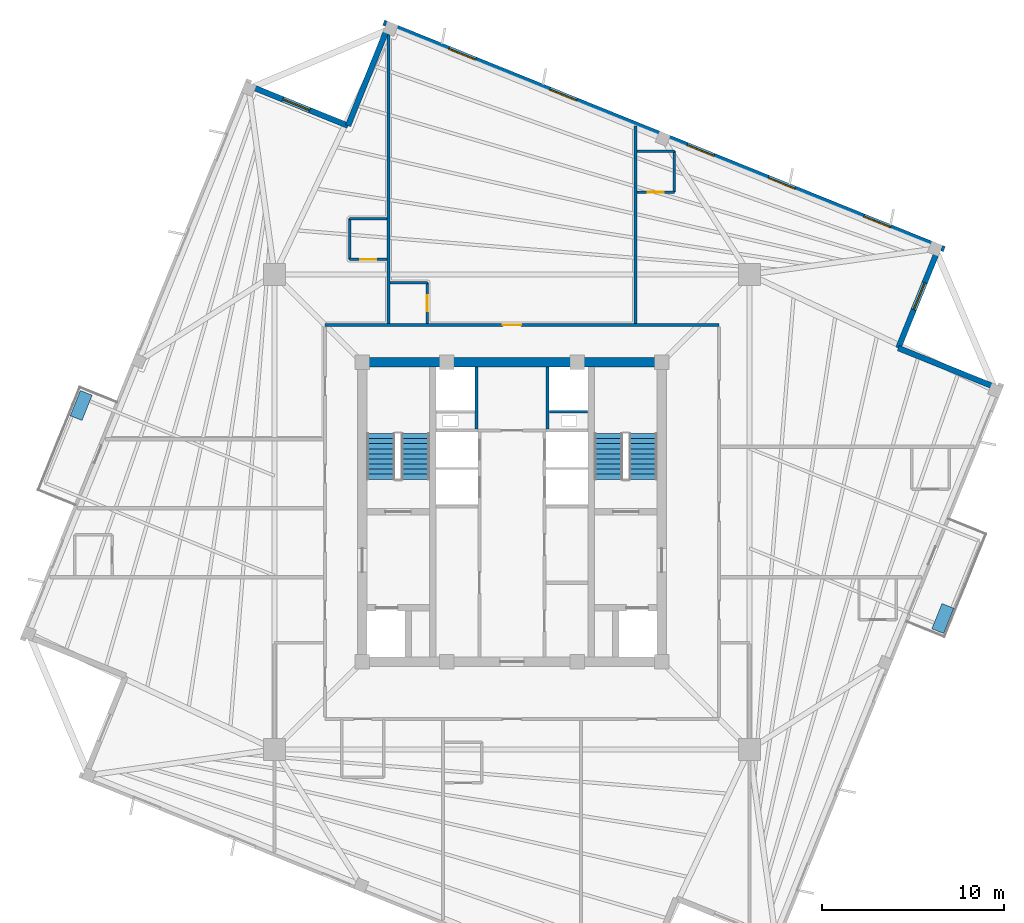
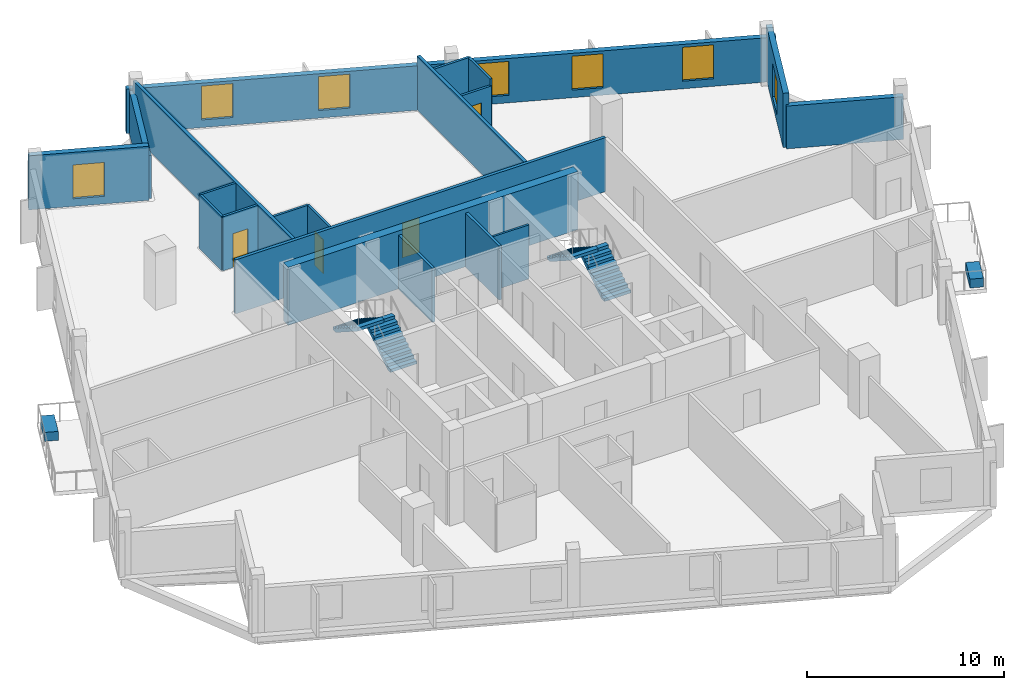
# One storey, part 5 of 8: 20 walls, 7 windows, 4 doors, 4 stair flights, 2 discrete accessories, 11 openings, 2 elements without a shape of their own.
"""IFC4 building model written with IfcOpenShell, lengths in metres."""

from ifc_helpers import new_model, si_unit, direction, frame, frame_2d, origin, origin_2d, place, context, subcontext, project, spatial, polyline, rectangle, outline, extrude, source, transform, mapped, material, layer, layer_set, type_object, element, fill, aggregate, save


model = new_model("IFC4")

# Units and contexts
model_context = context("Model", 3, precision=1e-05, world=origin(), true_north=direction((0.0, 1.0)))
body_context = subcontext(model_context, "Body", "Model", "MODEL_VIEW")
ifc_project = project(units=[si_unit("LENGTHUNIT", "METRE"), si_unit("AREAUNIT", "SQUARE_METRE"), si_unit("VOLUMEUNIT", "CUBIC_METRE"), si_unit("PLANEANGLEUNIT", "RADIAN"), si_unit("MASSUNIT", "GRAM", prefix="KILO"), si_unit("THERMODYNAMICTEMPERATUREUNIT", "KELVIN")], contexts=[model_context])

# Site, building, storey
site_placement = place(None, origin())
site = spatial("IfcSite", under=ifc_project, at=site_placement, CompositionType="ELEMENT")
building_placement = place(site_placement, origin())
building = spatial("IfcBuilding", under=site, at=building_placement, Name="Kosmvard Interchange Tower", CompositionType="ELEMENT")
storey_placement = place(building_placement, frame((0.0, 0.0, 268.800048828125)))
storey = spatial("IfcBuildingStorey", under=building, at=storey_placement, Name="L65", CompositionType="ELEMENT", Elevation=268.800048828125)

# Walls
ifc_material_1 = material(Name="Fire-rated gypsum partition system")
ifc_layer_1 = layer(ifc_material_1, 0.159912109375, Name="Fire-rated gypsum partition system")
ifc_layer_set_1 = layer_set([ifc_layer_1], Name="Fire-rated gypsum partition system")
wall_type_1 = type_object("IfcWallType", Name="Core Compartment & Shuttle Lobby Partition 160", PredefinedType="PARTITIONING", material=ifc_layer_set_1)
for number, where, z_axis, x_axis, name in (
    (1, (-1.9599609375, 4.580078125, 0.0), (0.0, 0.0, 1.0), (0.0, 1.0, 0.0), "L65 North Core West Wall"),
    (2, (1.9599609375, 4.580078125, 0.0), (0.0, 0.0, 1.0), (0.0, 1.0, 0.0), "L65 North Core East Wall"),
):
    element("IfcWall", number, at=place(storey_placement, frame(where, z_axis=z_axis, x_axis=x_axis)), inside=storey, type_object=wall_type_1, Name=name, PredefinedType="PARTITIONING", context=body_context, shape_type="SweptSolid", body=[
        extrude(rectangle(XDim=3.39990234375, YDim=0.159912109375, at=frame_2d((1.699951171875, 0.0))), origin(), (0.0, 0.0, 1.0), 3.349853515625),
    ])

# Wall, opening, door
ifc_layer_2 = layer(ifc_material_1, 0.179931640625, Name="Fire-rated gypsum partition system")
ifc_layer_set_2 = layer_set([ifc_layer_2], Name="Fire-rated gypsum partition system")
wall_type_2 = type_object("IfcWallType", Name="Corridor & Hotel Compartment Partition 180", PredefinedType="PARTITIONING", material=ifc_layer_set_2)
wall_1_placement = place(storey_placement, frame((-10.300048828125, 10.300048828125, 0.0), z_axis=(0.0, 0.0, 1.0), x_axis=(1.0, 0.0, 0.0)))
wall_1 = element("IfcWall", 3, at=wall_1_placement, inside=storey, type_object=wall_type_2, Name="L65 Corridor Wall CN", PredefinedType="PARTITIONING", context=body_context, shape_type="SweptSolid", body=[
    extrude(rectangle(XDim=21.699951171875, YDim=0.179931640625, at=frame_2d((10.85009765625, 0.0))), origin(), (0.0, 0.0, 1.0), 3.349853515625),
])
opening_1_placement = place(wall_1_placement, frame((9.800048828125, 0.0, 0.0)))
opening_1 = element("IfcOpeningElement", 4, at=opening_1_placement, cuts=wall_1, Name="Opening L65-D05", PredefinedType="OPENING", context=body_context, shape_type="SweptSolid", body=[
    extrude(rectangle(XDim=1.0, YDim=2.14990234375, at=frame_2d((0.5, 1.074951171875))), frame((0.0, 0.10009765625, 0.0), z_axis=(0.0, -1.0, 0.0), x_axis=(1.0, 0.0, 0.0)), (0.0, 0.0, 1.0), 0.199951171875),
])
ifc_material_2 = material(Name="Engineered oak fire-rated timber", Category="wood")
door_type_1 = type_object("IfcDoorType", Name="Hotel Guestroom Entrance Door 1000x2150 EI60", OperationType="NOTDEFINED", PredefinedType="DOOR", material=ifc_material_2)
shared_shape_1 = source(origin(), body_context, "Body", "SweptSolid", [
    extrude(rectangle(XDim=1.0, YDim=2.14990234375, at=frame_2d((0.5, 1.074951171875))), frame((0.0, 0.02490234375, 0.0), z_axis=(0.0, -1.0, 0.0), x_axis=(1.0, 0.0, 0.0)), (0.0, 0.0, 1.0), 0.050048828125),
])
door_1_placement = place(opening_1_placement, origin())
door_1 = element("IfcDoor", 5, at=door_1_placement, inside=storey, type_object=door_type_1, Name="L65 Hotel Twin Junior Suite 1 Door", OperationType="SINGLE_SWING_LEFT", OverallHeight=2.14990234375, OverallWidth=1.0, PredefinedType="DOOR", context=body_context, shape_type="MappedRepresentation", body=[
    mapped(shared_shape_1, transform((0.0, 0.0, 0.0), scale=1.0)),
])
fill(opening_1, door_1)

# Walls
wall_2_placement = place(storey_placement, frame((-6.800048828125, 10.39501953125, 0.0), z_axis=(0.0, 0.0, 1.0), x_axis=(0.0, 1.0, 0.0)))
element("IfcWall", 6, at=wall_2_placement, inside=storey, type_object=wall_type_2, Name="L65 Room Partition 01.1", PredefinedType="PARTITIONING", context=body_context, shape_type="SweptSolid", body=[
    extrude(rectangle(XDim=16.16650390625, YDim=0.179931640625, at=frame_2d((8.083251953125, 0.0))), origin(), (0.0, 0.0, 1.0), 3.349853515625),
])
wall_3_placement = place(storey_placement, frame((6.800048828125, 10.39501953125, 0.0), z_axis=(0.0, 0.0, 1.0), x_axis=(0.0, 1.0, 0.0)))
element("IfcWall", 7, at=wall_3_placement, inside=storey, type_object=wall_type_2, Name="L65 Room Partition 02.1", PredefinedType="PARTITIONING", context=body_context, shape_type="SweptSolid", body=[
    extrude(rectangle(XDim=10.8603515625, YDim=0.179931640625, at=frame_2d((5.43017578125, 0.0))), origin(), (0.0, 0.0, 1.0), 3.349853515625),
])
ifc_material_3 = material(Name="Fire-rated gypsum shaftwall system")
ifc_layer_3 = layer(ifc_material_3, 0.1201171875, Name="Fire-rated gypsum shaftwall system")
ifc_layer_set_3 = layer_set([ifc_layer_3], Name="Fire-rated gypsum shaftwall system")
wall_type_3 = type_object("IfcWallType", Name="Shaft & Riser Fire Partition 120 EI60", PredefinedType="PARTITIONING", material=ifc_layer_set_3)
wall_4_placement = place(storey_placement, frame((2.06005859375, 5.52001953125, 0.0), z_axis=(0.0, 0.0, 1.0), x_axis=(1.0, 0.0, 0.0)))
element("IfcWall", 8, at=wall_4_placement, inside=storey, type_object=wall_type_3, Name="L65 Riser Shaft Divider E", PredefinedType="PARTITIONING", context=body_context, shape_type="SweptSolid", body=[
    extrude(rectangle(XDim=2.099853515625, YDim=0.1201171875, at=frame_2d((1.0498046875, 0.0))), origin(), (0.0, 0.0, 1.0), 3.349853515625),
])
ifc_material_4 = material(Name="Concrete C60/75", Category="concrete")
ifc_layer_4 = layer(ifc_material_4, 0.5, Name="Concrete C60/75")
ifc_layer_set_4 = layer_set([ifc_layer_4], Name="Concrete C60/75")
wall_type_4 = type_object("IfcWallType", Name="Upper Core Shear Wall 500 C60/75", PredefinedType="SHEAR", material=ifc_layer_set_4)
wall_5_placement = place(storey_placement, frame((-8.5, 8.25, 0.0), z_axis=(0.0, 0.0, 1.0), x_axis=(1.0, 0.0, 0.0)))
element("IfcWall", 9, at=wall_5_placement, inside=storey, type_object=wall_type_4, Name="L65 Core Shear Wall CW-N", PredefinedType="SHEAR", context=body_context, shape_type="SweptSolid", body=[
    extrude(rectangle(XDim=17.0, YDim=0.5, at=frame_2d((8.5, 0.0))), origin(), (0.0, 0.0, 1.0), 3.599853515625),
])
ifc_material_5 = material(Name="Precast concrete C45/55", Category="concrete")
ifc_layer_5 = layer(ifc_material_5, 0.31005859375, Name="Precast concrete C45/55")
ifc_layer_set_5 = layer_set([ifc_layer_5], Name="Precast concrete C45/55")
wall_type_5 = type_object("IfcWallType", Name="Upper Tower Precast Pier Wall 310 C45/55", PredefinedType="STANDARD", material=ifc_layer_set_5)
wall_6_placement = place(storey_placement, frame((26.8408203125, 6.7841796875, 0.0), z_axis=(0.0, 0.0, 1.0), x_axis=(-0.927171722085, 0.374636620962, 0.0)))
element("IfcWall", 10, at=wall_6_placement, inside=storey, type_object=wall_type_5, Name="L65 Precast Facade Wall N-SE1", PredefinedType="STANDARD", context=body_context, shape_type="SweptSolid", body=[
    extrude(rectangle(XDim=6.0, YDim=0.31005859375, at=frame_2d((3.0, 0.0))), origin(), (0.0, 0.0, 1.0), 2.64990234375),
])

# Wall, opening, window
wall_7_placement = place(storey_placement, frame((21.27783203125, 9.031982421875, 0.0), z_axis=(0.0, 0.0, 1.0), x_axis=(0.374602739196, 0.927185411764, 0.0)))
wall_7 = element("IfcWall", 11, at=wall_7_placement, inside=storey, type_object=wall_type_5, Name="L65 Precast Facade Wall N-SE2", PredefinedType="STANDARD", context=body_context, shape_type="SweptSolid", body=[
    extrude(rectangle(XDim=6.155029296875, YDim=0.31005859375, at=frame_2d((3.07763671875, 0.0))), origin(), (0.0, 0.0, 1.0), 3.349853515625),
])
opening_2_placement = place(wall_7_placement, frame((2.277587890625, 0.0, 0.469970703125)))
opening_2 = element("IfcOpeningElement", 12, at=opening_2_placement, cuts=wall_7, Name="Opening L65-W20", PredefinedType="OPENING", context=body_context, shape_type="SweptSolid", body=[
    extrude(rectangle(XDim=1.60009765625, YDim=2.10009765625, at=frame_2d((0.800048828125, 1.050048828125))), frame((0.0, 0.1650390625, 0.0), z_axis=(0.0, -1.0, 0.0), x_axis=(1.0, 0.0, 0.0)), (0.0, 0.0, 1.0), 0.330078125),
])
ifc_material_6 = material(Name="Low-E acoustic double glazing", Category="glass")
window_type = type_object("IfcWindowType", Name="Zone 5 Hotel Punched Window 1600x2100", PartitioningType="SINGLE_PANEL", PredefinedType="WINDOW", material=ifc_material_6)
shared_shape_2 = source(origin(), body_context, "Body", "SweptSolid", [
    extrude(rectangle(XDim=1.60009765625, YDim=2.10009765625, at=frame_2d((0.800048828125, 1.050048828125))), frame((0.0, 0.030029296875, 0.0), z_axis=(0.0, -1.0, 0.0), x_axis=(1.0, 0.0, 0.0)), (0.0, 0.0, 1.0), 0.06005859375),
])
window_1_placement = place(opening_2_placement, origin())
window_1 = element("IfcWindow", 13, at=window_1_placement, inside=storey, type_object=window_type, Name="L65 Corner Notch Window 20", OverallHeight=2.10009765625, OverallWidth=1.60009765625, PartitioningType="SINGLE_PANEL", PredefinedType="WINDOW", context=body_context, shape_type="MappedRepresentation", body=[
    mapped(shared_shape_2, transform((0.0, 0.0, 0.0), scale=1.0)),
])
fill(opening_2, window_1)

# Wall, openings, windows
wall_8_placement = place(storey_placement, frame((23.812744140625, 14.478759765625, 0.0), z_axis=(0.0, 0.0, 1.0), x_axis=(-0.927182657188, 0.374609557019, 0.0)))
wall_8 = element("IfcWall", 14, at=wall_8_placement, inside=storey, type_object=wall_type_5, Name="L65 Precast Facade Wall F-E", PredefinedType="STANDARD", context=body_context, shape_type="SweptSolid", body=[
    extrude(rectangle(XDim=33.31005859375, YDim=0.31005859375, at=frame_2d((16.655029296875, 0.0))), origin(), (0.0, 0.0, 1.0), 2.75),
])
opening_3_placement = place(wall_8_placement, frame((3.197265625, 0.0, 0.469970703125)))
opening_3 = element("IfcOpeningElement", 15, at=opening_3_placement, cuts=wall_8, Name="Opening L65-W06", PredefinedType="OPENING", context=body_context, shape_type="SweptSolid", body=[
    extrude(rectangle(XDim=1.60009765625, YDim=2.10009765625, at=frame_2d((0.800048828125, 1.050048828125))), frame((0.0, 0.1650390625, 0.0), z_axis=(0.0, -1.0, 0.0), x_axis=(1.0, 0.0, 0.0)), (0.0, 0.0, 1.0), 0.330078125),
])
opening_4_placement = place(wall_8_placement, frame((8.85986328125, 0.0, 0.469970703125)))
opening_4 = element("IfcOpeningElement", 16, at=opening_4_placement, cuts=wall_8, Name="Opening L65-W07", PredefinedType="OPENING", context=body_context, shape_type="SweptSolid", body=[
    extrude(rectangle(XDim=1.60009765625, YDim=2.10009765625, at=frame_2d((0.800048828125, 1.050048828125))), frame((0.0, 0.1650390625, 0.0), z_axis=(0.0, -1.0, 0.0), x_axis=(1.0, 0.0, 0.0)), (0.0, 0.0, 1.0), 0.330078125),
])
opening_5_placement = place(wall_8_placement, frame((13.688720703125, 0.0, 0.469970703125)))
opening_5 = element("IfcOpeningElement", 17, at=opening_5_placement, cuts=wall_8, Name="Opening L65-W08", PredefinedType="OPENING", context=body_context, shape_type="SweptSolid", body=[
    extrude(rectangle(XDim=1.60009765625, YDim=2.10009765625, at=frame_2d((0.800048828125, 1.050048828125))), frame((0.0, 0.1650390625, 0.0), z_axis=(0.0, -1.0, 0.0), x_axis=(1.0, 0.0, 0.0)), (0.0, 0.0, 1.0), 0.330078125),
])
opening_6_placement = place(wall_8_placement, frame((21.850830078125, 0.0, 0.469970703125)))
opening_6 = element("IfcOpeningElement", 18, at=opening_6_placement, cuts=wall_8, Name="Opening L65-W09", PredefinedType="OPENING", context=body_context, shape_type="SweptSolid", body=[
    extrude(rectangle(XDim=1.60009765625, YDim=2.10009765625, at=frame_2d((0.800048828125, 1.050048828125))), frame((0.0, 0.1650390625, 0.0), z_axis=(0.0, -1.0, 0.0), x_axis=(1.0, 0.0, 0.0)), (0.0, 0.0, 1.0), 0.330078125),
])
opening_7_placement = place(wall_8_placement, frame((27.8466796875, 0.0, 0.469970703125)))
opening_7 = element("IfcOpeningElement", 19, at=opening_7_placement, cuts=wall_8, Name="Opening L65-W10", PredefinedType="OPENING", context=body_context, shape_type="SweptSolid", body=[
    extrude(rectangle(XDim=1.60009765625, YDim=2.10009765625, at=frame_2d((0.800048828125, 1.050048828125))), frame((0.0, 0.1650390625, 0.0), z_axis=(0.0, -1.0, 0.0), x_axis=(1.0, 0.0, 0.0)), (0.0, 0.0, 1.0), 0.330078125),
])
window_2_placement = place(opening_3_placement, origin())
window_2 = element("IfcWindow", 20, at=window_2_placement, inside=storey, type_object=window_type, Name="L65 Facade Punched Window 06", OverallHeight=2.10009765625, OverallWidth=1.60009765625, PartitioningType="SINGLE_PANEL", PredefinedType="WINDOW", context=body_context, shape_type="MappedRepresentation", body=[
    mapped(shared_shape_2, transform((0.0, 0.0, 0.0), scale=1.0)),
])
fill(opening_3, window_2)
window_3_placement = place(opening_4_placement, origin())
window_3 = element("IfcWindow", 21, at=window_3_placement, inside=storey, type_object=window_type, Name="L65 Facade Punched Window 07", OverallHeight=2.10009765625, OverallWidth=1.60009765625, PartitioningType="SINGLE_PANEL", PredefinedType="WINDOW", context=body_context, shape_type="MappedRepresentation", body=[
    mapped(shared_shape_2, transform((0.0, 0.0, 0.0), scale=1.0)),
])
fill(opening_4, window_3)
window_4_placement = place(opening_5_placement, origin())
window_4 = element("IfcWindow", 22, at=window_4_placement, inside=storey, type_object=window_type, Name="L65 Facade Punched Window 08", OverallHeight=2.10009765625, OverallWidth=1.60009765625, PartitioningType="SINGLE_PANEL", PredefinedType="WINDOW", context=body_context, shape_type="MappedRepresentation", body=[
    mapped(shared_shape_2, transform((0.0, 0.0, 0.0), scale=1.0)),
])
fill(opening_5, window_4)
window_5_placement = place(opening_6_placement, origin())
window_5 = element("IfcWindow", 23, at=window_5_placement, inside=storey, type_object=window_type, Name="L65 Facade Punched Window 09", OverallHeight=2.10009765625, OverallWidth=1.60009765625, PartitioningType="SINGLE_PANEL", PredefinedType="WINDOW", context=body_context, shape_type="MappedRepresentation", body=[
    mapped(shared_shape_2, transform((0.0, 0.0, 0.0), scale=1.0)),
])
fill(opening_6, window_5)
window_6_placement = place(opening_7_placement, origin())
window_6 = element("IfcWindow", 24, at=window_6_placement, inside=storey, type_object=window_type, Name="L65 Facade Punched Window 10", OverallHeight=2.10009765625, OverallWidth=1.60009765625, PartitioningType="SINGLE_PANEL", PredefinedType="WINDOW", context=body_context, shape_type="MappedRepresentation", body=[
    mapped(shared_shape_2, transform((0.0, 0.0, 0.0), scale=1.0)),
])
fill(opening_7, window_6)

# Wall
wall_9_placement = place(storey_placement, frame((-6.7841796875, 26.8408203125, 0.0), z_axis=(0.0, 0.0, 1.0), x_axis=(-0.374636620962, -0.927171722085, 0.0)))
element("IfcWall", 25, at=wall_9_placement, inside=storey, type_object=wall_type_5, Name="L65 Precast Facade Wall N-NE1", PredefinedType="STANDARD", context=body_context, shape_type="SweptSolid", body=[
    extrude(rectangle(XDim=6.0, YDim=0.31005859375, at=frame_2d((3.0, 0.0))), origin(), (0.0, 0.0, 1.0), 2.64990234375),
])

# Wall, opening, window
wall_10_placement = place(storey_placement, frame((-9.031982421875, 21.27783203125, 0.0), z_axis=(0.0, 0.0, 1.0), x_axis=(-0.927185411764, 0.374602739196, 0.0)))
wall_10 = element("IfcWall", 26, at=wall_10_placement, inside=storey, type_object=wall_type_5, Name="L65 Precast Facade Wall N-NE2", PredefinedType="STANDARD", context=body_context, shape_type="SweptSolid", body=[
    extrude(rectangle(XDim=6.155029296875, YDim=0.31005859375, at=frame_2d((3.07763671875, 0.0))), origin(), (0.0, 0.0, 1.0), 3.349853515625),
])
opening_8_placement = place(wall_10_placement, frame((2.277587890625, 0.0, 0.469970703125)))
opening_8 = element("IfcOpeningElement", 27, at=opening_8_placement, cuts=wall_10, Name="Opening L65-W21", PredefinedType="OPENING", context=body_context, shape_type="SweptSolid", body=[
    extrude(rectangle(XDim=1.60009765625, YDim=2.10009765625, at=frame_2d((0.800048828125, 1.050048828125))), frame((0.0, 0.1650390625, 0.0), z_axis=(0.0, -1.0, 0.0), x_axis=(1.0, 0.0, 0.0)), (0.0, 0.0, 1.0), 0.330078125),
])
window_7_placement = place(opening_8_placement, origin())
window_7 = element("IfcWindow", 28, at=window_7_placement, inside=storey, type_object=window_type, Name="L65 Corner Notch Window 21", OverallHeight=2.10009765625, OverallWidth=1.60009765625, PartitioningType="SINGLE_PANEL", PredefinedType="WINDOW", context=body_context, shape_type="MappedRepresentation", body=[
    mapped(shared_shape_2, transform((0.0, 0.0, 0.0), scale=1.0)),
])
fill(opening_8, window_7)

# Wall, opening, door
ifc_material_7 = material(Name="Moisture-resistant gypsum partition")
ifc_layer_6 = layer(ifc_material_7, 0.135009765625, Name="Moisture-resistant gypsum partition")
ifc_layer_set_6 = layer_set([ifc_layer_6], Name="Moisture-resistant gypsum partition")
wall_type_6 = type_object("IfcWallType", Name="Wet Room Moisture-Resistant Partition 135", PredefinedType="PARTITIONING", material=ifc_layer_set_6)
wall_11_placement = place(storey_placement, frame((-8.93994140625, 13.909912109375, 0.0), z_axis=(0.0, 0.0, 1.0), x_axis=(1.0, 0.0, 0.0)))
wall_11 = element("IfcWall", 29, at=wall_11_placement, inside=storey, type_object=wall_type_6, Name="L65 En-Suite Partition HCS1-S", PredefinedType="PARTITIONING", context=body_context, shape_type="SweptSolid", body=[
    extrude(rectangle(XDim=2.050048828125, YDim=0.135009765625, at=frame_2d((1.02490234375, 0.0))), origin(), (0.0, 0.0, 1.0), 3.349853515625),
])
opening_9_placement = place(wall_11_placement, frame((0.5849609375, 0.0, 0.0)))
opening_9 = element("IfcOpeningElement", 30, at=opening_9_placement, cuts=wall_11, Name="Opening L65-ED04", PredefinedType="OPENING", context=body_context, shape_type="SweptSolid", body=[
    extrude(rectangle(XDim=0.8798828125, YDim=2.10009765625, at=frame_2d((0.43994140625, 1.050048828125))), frame((0.0, 0.07763671875, 0.0), z_axis=(0.0, -1.0, 0.0), x_axis=(1.0, 0.0, 0.0)), (0.0, 0.0, 1.0), 0.155029296875),
])
ifc_material_8 = material(Name="Laminated moisture-resistant timber", Category="wood")
door_type_2 = type_object("IfcDoorType", Name="En-Suite & Washroom Door 880x2100", OperationType="NOTDEFINED", PredefinedType="DOOR", material=ifc_material_8)
shared_shape_3 = source(origin(), body_context, "Body", "SweptSolid", [
    extrude(rectangle(XDim=0.8798828125, YDim=2.10009765625, at=frame_2d((0.43994140625, 1.050048828125))), frame((0.0, 0.02490234375, 0.0), z_axis=(0.0, -1.0, 0.0), x_axis=(1.0, 0.0, 0.0)), (0.0, 0.0, 1.0), 0.050048828125),
])
door_2_placement = place(opening_9_placement, origin())
door_2 = element("IfcDoor", 31, at=door_2_placement, inside=storey, type_object=door_type_2, Name="L65 HCS1 En-Suite Door", OperationType="SINGLE_SWING_LEFT", OverallHeight=2.10009765625, OverallWidth=0.8798828125, PredefinedType="DOOR", context=body_context, shape_type="MappedRepresentation", body=[
    mapped(shared_shape_3, transform((0.0, 0.0, 0.0), scale=1.0)),
])
fill(opening_9, door_2)

# Walls
wall_12_placement = place(storey_placement, frame((-8.93994140625, 16.159912109375, 0.0), z_axis=(0.0, 0.0, 1.0), x_axis=(1.0, 0.0, 0.0)))
element("IfcWall", 32, at=wall_12_placement, inside=storey, type_object=wall_type_6, Name="L65 En-Suite Partition HCS1-N", PredefinedType="PARTITIONING", context=body_context, shape_type="SweptSolid", body=[
    extrude(rectangle(XDim=2.050048828125, YDim=0.135009765625, at=frame_2d((1.02490234375, 0.0))), origin(), (0.0, 0.0, 1.0), 3.349853515625),
])
wall_13_placement = place(storey_placement, frame((-8.93994140625, 13.909912109375, 0.0), z_axis=(0.0, 0.0, 1.0), x_axis=(0.0, 1.0, 0.0)))
element("IfcWall", 33, at=wall_13_placement, inside=storey, type_object=wall_type_6, Name="L65 En-Suite Partition HCS1-W", PredefinedType="PARTITIONING", context=body_context, shape_type="SweptSolid", body=[
    extrude(rectangle(XDim=2.25, YDim=0.135009765625, at=frame_2d((1.125, 0.0))), origin(), (0.0, 0.0, 1.0), 3.349853515625),
])

# Wall, opening, door
wall_14_placement = place(storey_placement, frame((-4.659912109375, 10.385009765625, 0.0), z_axis=(0.0, 0.0, 1.0), x_axis=(0.0, 1.0, 0.0)))
wall_14 = element("IfcWall", 34, at=wall_14_placement, inside=storey, type_object=wall_type_6, Name="L65 En-Suite Partition HGR1-E", PredefinedType="PARTITIONING", context=body_context, shape_type="SweptSolid", body=[
    extrude(rectangle(XDim=2.25, YDim=0.135009765625, at=frame_2d((1.125, 0.0))), origin(), (0.0, 0.0, 1.0), 3.349853515625),
])
opening_10_placement = place(wall_14_placement, frame((0.68505859375, 0.0, 0.0)))
opening_10 = element("IfcOpeningElement", 35, at=opening_10_placement, cuts=wall_14, Name="Opening L65-ED06", PredefinedType="OPENING", context=body_context, shape_type="SweptSolid", body=[
    extrude(rectangle(XDim=0.8798828125, YDim=2.10009765625, at=frame_2d((0.43994140625, 1.050048828125))), frame((0.0, 0.07763671875, 0.0), z_axis=(0.0, -1.0, 0.0), x_axis=(1.0, 0.0, 0.0)), (0.0, 0.0, 1.0), 0.155029296875),
])
door_3_placement = place(opening_10_placement, origin())
door_3 = element("IfcDoor", 36, at=door_3_placement, inside=storey, type_object=door_type_2, Name="L65 HGR1 En-Suite Door", OperationType="SINGLE_SWING_LEFT", OverallHeight=2.10009765625, OverallWidth=0.8798828125, PredefinedType="DOOR", context=body_context, shape_type="MappedRepresentation", body=[
    mapped(shared_shape_3, transform((0.0, 0.0, 0.0), scale=1.0)),
])
fill(opening_10, door_3)

# Wall
wall_15_placement = place(storey_placement, frame((-6.7099609375, 12.635009765625, 0.0), z_axis=(0.0, 0.0, 1.0), x_axis=(1.0, 0.0, 0.0)))
element("IfcWall", 37, at=wall_15_placement, inside=storey, type_object=wall_type_6, Name="L65 En-Suite Partition HGR1-N", PredefinedType="PARTITIONING", context=body_context, shape_type="SweptSolid", body=[
    extrude(rectangle(XDim=2.050048828125, YDim=0.135009765625, at=frame_2d((1.02490234375, 0.0))), origin(), (0.0, 0.0, 1.0), 3.349853515625),
])

# Wall, opening, door
wall_16_placement = place(storey_placement, frame((6.889892578125, 17.6220703125, 0.0), z_axis=(0.0, 0.0, 1.0), x_axis=(1.0, 0.0, 0.0)))
wall_16 = element("IfcWall", 38, at=wall_16_placement, inside=storey, type_object=wall_type_6, Name="L65 En-Suite Partition HGR2-S", PredefinedType="PARTITIONING", context=body_context, shape_type="SweptSolid", body=[
    extrude(rectangle(XDim=2.050048828125, YDim=0.135009765625, at=frame_2d((1.02490234375, 0.0))), origin(), (0.0, 0.0, 1.0), 2.949951171875),
])
opening_11_placement = place(wall_16_placement, frame((0.5849609375, 0.0, 0.0)))
opening_11 = element("IfcOpeningElement", 39, at=opening_11_placement, cuts=wall_16, Name="Opening L65-ED08", PredefinedType="OPENING", context=body_context, shape_type="SweptSolid", body=[
    extrude(rectangle(XDim=0.8798828125, YDim=2.10009765625, at=frame_2d((0.43994140625, 1.050048828125))), frame((0.0, 0.07763671875, 0.0), z_axis=(0.0, -1.0, 0.0), x_axis=(1.0, 0.0, 0.0)), (0.0, 0.0, 1.0), 0.155029296875),
])
door_4_placement = place(opening_11_placement, origin())
door_4 = element("IfcDoor", 40, at=door_4_placement, inside=storey, type_object=door_type_2, Name="L65 HGR2 En-Suite Door", OperationType="SINGLE_SWING_LEFT", OverallHeight=2.10009765625, OverallWidth=0.8798828125, PredefinedType="DOOR", context=body_context, shape_type="MappedRepresentation", body=[
    mapped(shared_shape_3, transform((0.0, 0.0, 0.0), scale=1.0)),
])
fill(opening_11, door_4)

# Walls
wall_17_placement = place(storey_placement, frame((8.93994140625, 17.6220703125, 0.0), z_axis=(0.0, 0.0, 1.0), x_axis=(0.0, 1.0, 0.0)))
element("IfcWall", 41, at=wall_17_placement, inside=storey, type_object=wall_type_6, Name="L65 En-Suite Partition HGR2-E", PredefinedType="PARTITIONING", context=body_context, shape_type="SweptSolid", body=[
    extrude(rectangle(XDim=2.25, YDim=0.135009765625, at=frame_2d((1.125, 0.0))), origin(), (0.0, 0.0, 1.0), 3.349853515625),
])
wall_18_placement = place(storey_placement, frame((6.889892578125, 19.8720703125, 0.0), z_axis=(0.0, 0.0, 1.0), x_axis=(1.0, 0.0, 0.0)))
element("IfcWall", 42, at=wall_18_placement, inside=storey, type_object=wall_type_6, Name="L65 En-Suite Partition HGR2-N", PredefinedType="PARTITIONING", context=body_context, shape_type="SweptSolid", body=[
    extrude(rectangle(XDim=2.050048828125, YDim=0.135009765625, at=frame_2d((1.02490234375, 0.0))), origin(), (0.0, 0.0, 1.0), 3.349853515625),
])

# Stair, stair flights
ifc_material_9 = material(Name="Concrete C50/60", Category="concrete")
stair_type = type_object("IfcStairType", Name="Dog-Leg Core Exit Stair H3600 C50/60", PredefinedType="HALF_TURN_STAIR", material=ifc_material_9)
stair_1_placement = place(storey_placement, origin())
stair_1 = element("IfcStair", 43, at=stair_1_placement, inside=storey, type_object=stair_type, Name="L65 Protected Exit Stair ST-1", PredefinedType="HALF_TURN_STAIR")
stair_flight_type = type_object("IfcStairFlightType", Name="Core Stair Flight W1550 H3600 C50/60", PredefinedType="STRAIGHT", material=ifc_material_9)
shared_shape_4 = source(origin(), body_context, "Body", "SweptSolid", [
    extrude(outline(polyline([(0.0, 0.0), (0.0, 0.179931640625), (0.280029296875, 0.179931640625), (0.280029296875, 0.360107421875), (0.56005859375, 0.360107421875), (0.56005859375, 0.5400390625), (0.840087890625, 0.5400390625), (0.840087890625, 0.719970703125), (1.1201171875, 0.719970703125), (1.1201171875, 0.89990234375), (1.39990234375, 0.89990234375), (1.39990234375, 1.080078125), (1.679931640625, 1.080078125), (1.679931640625, 1.260009765625), (1.9599609375, 1.260009765625), (1.9599609375, 1.43994140625), (2.239990234375, 1.43994140625), (2.239990234375, 1.6201171875), (2.52001953125, 1.6201171875), (2.52001953125, 1.800048828125), (2.52001953125, 1.429931640625), (0.295654296875, 0.0), (0.0, 0.0)])), frame((0.0, 0.77490234375, 0.0), z_axis=(0.0, -1.0, 0.0), x_axis=(1.0, 0.0, 0.0)), (0.0, 0.0, 1.0), 1.550048828125),
])
stair_flight_1_placement = place(storey_placement, frame((-5.31494140625, 1.800048828125, 0.0), z_axis=(0.0, 0.0, 1.0), x_axis=(0.0, 1.0, 0.0)))
stair_flight_1 = element("IfcStairFlight", 44, at=stair_flight_1_placement, type_object=stair_flight_type, Name="ST-1 flight 1", NumberOfRisers=10, NumberOfTreads=9, PredefinedType="STRAIGHT", RiserHeight=0.18, TreadLength=0.28, context=body_context, shape_type="MappedRepresentation", body=[
    mapped(shared_shape_4, transform((0.0, 0.0, 0.0), scale=1.0)),
])
stair_flight_2_placement = place(storey_placement, frame((-7.22509765625, 4.320068359375, 1.800048828125), z_axis=(0.0, 0.0, 1.0), x_axis=(0.0, -1.0, 0.0)))
stair_flight_2 = element("IfcStairFlight", 45, at=stair_flight_2_placement, type_object=stair_flight_type, Name="ST-1 flight 2", NumberOfRisers=10, NumberOfTreads=9, PredefinedType="STRAIGHT", RiserHeight=0.18, TreadLength=0.28, context=body_context, shape_type="MappedRepresentation", body=[
    mapped(shared_shape_4, transform((0.0, 0.0, 0.0), scale=1.0)),
])
aggregate(stair_1, [stair_flight_1, stair_flight_2])

stair_2_placement = place(storey_placement, origin())
stair_2 = element("IfcStair", 46, at=stair_2_placement, inside=storey, type_object=stair_type, Name="L65 Protected Exit Stair ST-2", PredefinedType="HALF_TURN_STAIR")
stair_flight_3_placement = place(storey_placement, frame((7.22509765625, 1.800048828125, 0.0), z_axis=(0.0, 0.0, 1.0), x_axis=(0.0, 1.0, 0.0)))
stair_flight_3 = element("IfcStairFlight", 47, at=stair_flight_3_placement, type_object=stair_flight_type, Name="ST-2 flight 1", NumberOfRisers=10, NumberOfTreads=9, PredefinedType="STRAIGHT", RiserHeight=0.18, TreadLength=0.28, context=body_context, shape_type="MappedRepresentation", body=[
    mapped(shared_shape_4, transform((0.0, 0.0, 0.0), scale=1.0)),
])
stair_flight_4_placement = place(storey_placement, frame((5.31494140625, 4.320068359375, 1.800048828125), z_axis=(0.0, 0.0, 1.0), x_axis=(0.0, -1.0, 0.0)))
stair_flight_4 = element("IfcStairFlight", 48, at=stair_flight_4_placement, type_object=stair_flight_type, Name="ST-2 flight 2", NumberOfRisers=10, NumberOfTreads=9, PredefinedType="STRAIGHT", RiserHeight=0.18, TreadLength=0.28, context=body_context, shape_type="MappedRepresentation", body=[
    mapped(shared_shape_4, transform((0.0, 0.0, 0.0), scale=1.0)),
])
aggregate(stair_2, [stair_flight_3, stair_flight_4])

# Discrete accessories
ifc_material_10 = material(Name="Terracotta precast planter concrete C45/55", Category="masonry")
discrete_accessory_type = type_object("IfcDiscreteAccessoryType", Name="Precast Tree-Balcony & Terrace Planter Box", PredefinedType="USERDEFINED", material=ifc_material_10)
shared_shape_5 = source(origin(), body_context, "Body", "SweptSolid", [
    extrude(rectangle(XDim=1.5, YDim=0.699951171875, at=origin_2d()), origin(), (0.0, 0.0, 1.0), 0.550048828125),
])
for number, where, z_axis, x_axis, name in (
    (49, (23.730224609375, -5.86669921875, 0.0), (0.0, 0.0, 1.0), (0.374606593416, 0.927183854567, 0.0), "L65 Balcony Tree Planter BAL-L65-SW"),
    (50, (-23.730224609375, 5.86669921875, 0.0), (0.0, 0.0, 1.0), (0.374606593416, 0.927183854567, 0.0), "L65 Balcony Tree Planter BAL-L65-NE"),
):
    element("IfcDiscreteAccessory", number, at=place(storey_placement, frame(where, z_axis=z_axis, x_axis=x_axis)), inside=storey, type_object=discrete_accessory_type, Name=name, ObjectType="PLANTER", PredefinedType="USERDEFINED", context=body_context, shape_type="MappedRepresentation", body=[
        mapped(shared_shape_5, transform((0.0, 0.0, 0.0), scale=1.0)),
    ])

save(model, "model.ifc")
